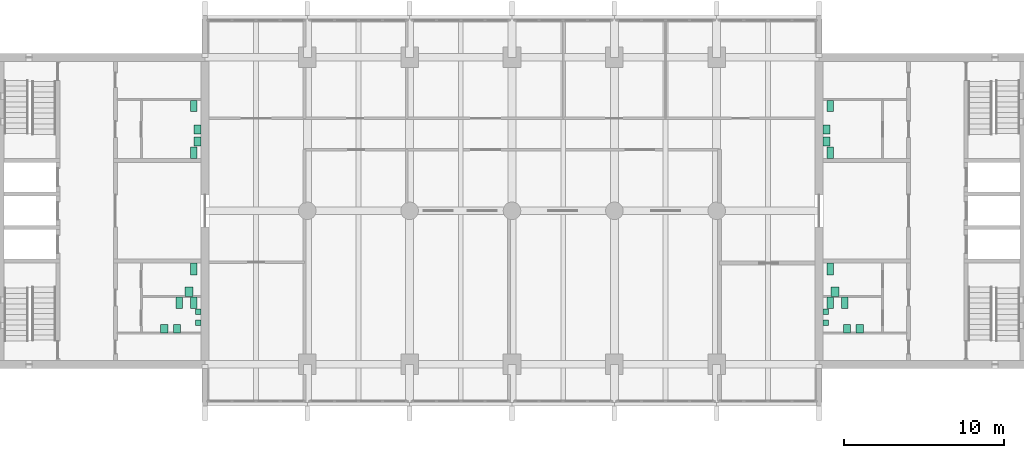
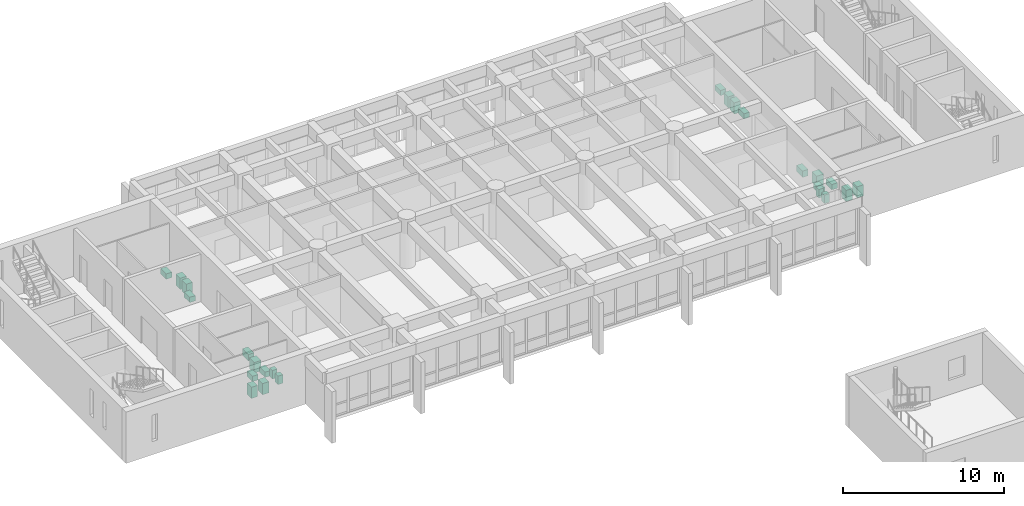
# One storey, part 19 of 19: 24 sanitary terminals.
"""IFC4 building model written with IfcOpenShell, lengths in metres."""

from ifc_helpers import new_model, si_unit, direction, frame, origin, origin_2d, place, context, subcontext, project, spatial, rectangle, extrude, material, type_object, element, save


model = new_model("IFC4")

# Units and contexts
model_context = context("Model", 3, precision=1e-05, world=origin(), true_north=direction((0.0, 1.0)))
body_context = subcontext(model_context, "Body", "Model", "MODEL_VIEW")
ifc_project = project(units=[si_unit("LENGTHUNIT", "METRE"), si_unit("AREAUNIT", "SQUARE_METRE"), si_unit("VOLUMEUNIT", "CUBIC_METRE"), si_unit("PLANEANGLEUNIT", "RADIAN"), si_unit("MASSUNIT", "GRAM", prefix="KILO")], contexts=[model_context])

# Site, building, storey
site_placement = place(None, origin())
site = spatial("IfcSite", under=ifc_project, at=site_placement, CompositionType="ELEMENT")
building_placement = place(site_placement, origin())
building = spatial("IfcBuilding", under=site, at=building_placement, Name="Fogon Plaza Fire Station and Headquarters Tower", CompositionType="ELEMENT")
storey_placement = place(building_placement, frame((0.0, 0.0, 17.10009765625)))
storey = spatial("IfcBuildingStorey", under=building, at=storey_placement, Name="L04", CompositionType="ELEMENT", Elevation=17.10009765625)

# Sanitary terminals
ifc_material_1 = material(Name="Vitreous china")
sanitary_terminal_type_1 = type_object("IfcSanitaryTerminalType", Name="Accessible Hand Basin 600x500", PredefinedType="WASHHANDBASIN", material=ifc_material_1)
for number, where, z_axis, x_axis, name in (
    (1, (24.60009765625, 38.14990234375, 0.0), (0.0, 0.0, 1.0), (1.0, 0.0, 0.0), "Accessible Hand Basin"),
    (2, (65.0, 38.14990234375, 0.0), (0.0, 0.0, 1.0), (1.0, 0.0, 0.0), "Accessible Hand Basin"),
):
    element("IfcSanitaryTerminal", number, at=place(storey_placement, frame(where, z_axis=z_axis, x_axis=x_axis)), inside=storey, type_object=sanitary_terminal_type_1, Name=name, PredefinedType="WASHHANDBASIN", context=body_context, shape_type="SweptSolid", body=[
        extrude(rectangle(XDim=0.5, YDim=0.60009765625, at=origin_2d()), origin(), (0.0, 0.0, 1.0), 0.800048828125),
    ])
ifc_material_2 = material(Name="Vitreous china")
sanitary_terminal_type_2 = type_object("IfcSanitaryTerminalType", Name="Accessible WC Pan 400x750", PredefinedType="TOILETPAN", material=ifc_material_2)
for number, where, z_axis, x_axis, name in (
    (3, (24.89990234375, 39.550048828125, 0.0), (0.0, 0.0, 1.0), (1.0, 0.0, 0.0), "Accessible WC Pan"),
    (4, (64.699951171875, 39.550048828125, 0.0), (0.0, 0.0, 1.0), (1.0, 0.0, 0.0), "Accessible WC Pan"),
):
    element("IfcSanitaryTerminal", number, at=place(storey_placement, frame(where, z_axis=z_axis, x_axis=x_axis)), inside=storey, type_object=sanitary_terminal_type_2, Name=name, PredefinedType="TOILETPAN", context=body_context, shape_type="SweptSolid", body=[
        extrude(rectangle(XDim=0.39990234375, YDim=0.75, at=origin_2d()), origin(), (0.0, 0.0, 1.0), 0.47998046875),
    ])
ifc_material_3 = material(Name="Vitreous china")
sanitary_terminal_type_3 = type_object("IfcSanitaryTerminalType", Name="Hand Basin 550x450", PredefinedType="WASHHANDBASIN", material=ifc_material_3)
for number, where, z_axis, x_axis, name in (
    (5, (23.85009765625, 35.824951171875, -0.000244140625), (0.0, 0.0, 1.0), (1.0, 0.0, 0.0), "Hand Basin"),
    (6, (23.050048828125, 35.824951171875, -0.000244140625), (0.0, 0.0, 1.0), (1.0, 0.0, 0.0), "Hand Basin"),
    (7, (25.125, 47.52490234375, -0.000244140625), (0.0, 0.0, 1.0), (1.0, 0.0, 0.0), "Hand Basin"),
    (8, (25.125, 48.27490234375, -0.000244140625), (0.0, 0.0, 1.0), (1.0, 0.0, 0.0), "Hand Basin"),
    (9, (65.75, 35.824951171875, -0.000244140625), (0.0, 0.0, 1.0), (1.0, 0.0, 0.0), "Hand Basin"),
    (10, (66.550048828125, 35.824951171875, -0.000244140625), (0.0, 0.0, 1.0), (1.0, 0.0, 0.0), "Hand Basin"),
    (11, (64.47509765625, 47.52490234375, -0.000244140625), (0.0, 0.0, 1.0), (1.0, 0.0, 0.0), "Hand Basin"),
    (12, (64.47509765625, 48.27490234375, -0.000244140625), (0.0, 0.0, 1.0), (1.0, 0.0, 0.0), "Hand Basin"),
):
    element("IfcSanitaryTerminal", number, at=place(storey_placement, frame(where, z_axis=z_axis, x_axis=x_axis)), inside=storey, type_object=sanitary_terminal_type_3, Name=name, PredefinedType="WASHHANDBASIN", context=body_context, shape_type="SweptSolid", body=[
        extrude(rectangle(XDim=0.449951171875, YDim=0.550048828125, at=origin_2d()), origin(), (0.0, 0.0, 1.0), 0.85009765625),
    ])
ifc_material_4 = material(Name="Vitreous china")
sanitary_terminal_type_4 = type_object("IfcSanitaryTerminalType", Name="Urinal 350x350", PredefinedType="URINAL", material=ifc_material_4)
for number, where, z_axis, x_axis, name in (
    (13, (25.175048828125, 36.199951171875, 0.0), (0.0, 0.0, 1.0), (1.0, 0.0, 0.0), "Urinal"),
    (14, (25.175048828125, 36.89990234375, 0.0), (0.0, 0.0, 1.0), (1.0, 0.0, 0.0), "Urinal"),
    (15, (64.425048828125, 36.199951171875, 0.0), (0.0, 0.0, 1.0), (1.0, 0.0, 0.0), "Urinal"),
    (16, (64.425048828125, 36.89990234375, 0.0), (0.0, 0.0, 1.0), (1.0, 0.0, 0.0), "Urinal"),
):
    element("IfcSanitaryTerminal", number, at=place(storey_placement, frame(where, z_axis=z_axis, x_axis=x_axis)), inside=storey, type_object=sanitary_terminal_type_4, Name=name, PredefinedType="URINAL", context=body_context, shape_type="SweptSolid", body=[
        extrude(rectangle(XDim=0.35009765625, YDim=0.35009765625, at=origin_2d()), origin(), (0.0, 0.0, 1.0), 0.64990234375),
    ])
ifc_material_5 = material(Name="Vitreous china")
sanitary_terminal_type_5 = type_object("IfcSanitaryTerminalType", Name="WC Pan 400x700", PredefinedType="TOILETPAN", material=ifc_material_5)
for number, where, z_axis, x_axis, name in (
    (17, (24.89990234375, 37.449951171875, 0.0), (0.0, 0.0, 1.0), (1.0, 0.0, 0.0), "WC Pan"),
    (18, (24.0, 37.449951171875, 0.0), (0.0, 0.0, 1.0), (1.0, 0.0, 0.0), "WC Pan"),
    (19, (24.89990234375, 49.75, 0.0), (0.0, 0.0, 1.0), (1.0, 0.0, 0.0), "WC Pan"),
    (20, (24.89990234375, 46.824951171875, 0.0), (0.0, 0.0, 1.0), (1.0, 0.0, 0.0), "WC Pan"),
    (21, (64.699951171875, 37.449951171875, 0.0), (0.0, 0.0, 1.0), (1.0, 0.0, 0.0), "WC Pan"),
    (22, (65.60009765625, 37.449951171875, 0.0), (0.0, 0.0, 1.0), (1.0, 0.0, 0.0), "WC Pan"),
    (23, (64.699951171875, 49.75, 0.0), (0.0, 0.0, 1.0), (1.0, 0.0, 0.0), "WC Pan"),
    (24, (64.699951171875, 46.824951171875, 0.0), (0.0, 0.0, 1.0), (1.0, 0.0, 0.0), "WC Pan"),
):
    element("IfcSanitaryTerminal", number, at=place(storey_placement, frame(where, z_axis=z_axis, x_axis=x_axis)), inside=storey, type_object=sanitary_terminal_type_5, Name=name, PredefinedType="TOILETPAN", context=body_context, shape_type="SweptSolid", body=[
        extrude(rectangle(XDim=0.39990234375, YDim=0.699951171875, at=origin_2d()), origin(), (0.0, 0.0, 1.0), 0.39990234375),
    ])

save(model, "model.ifc")
